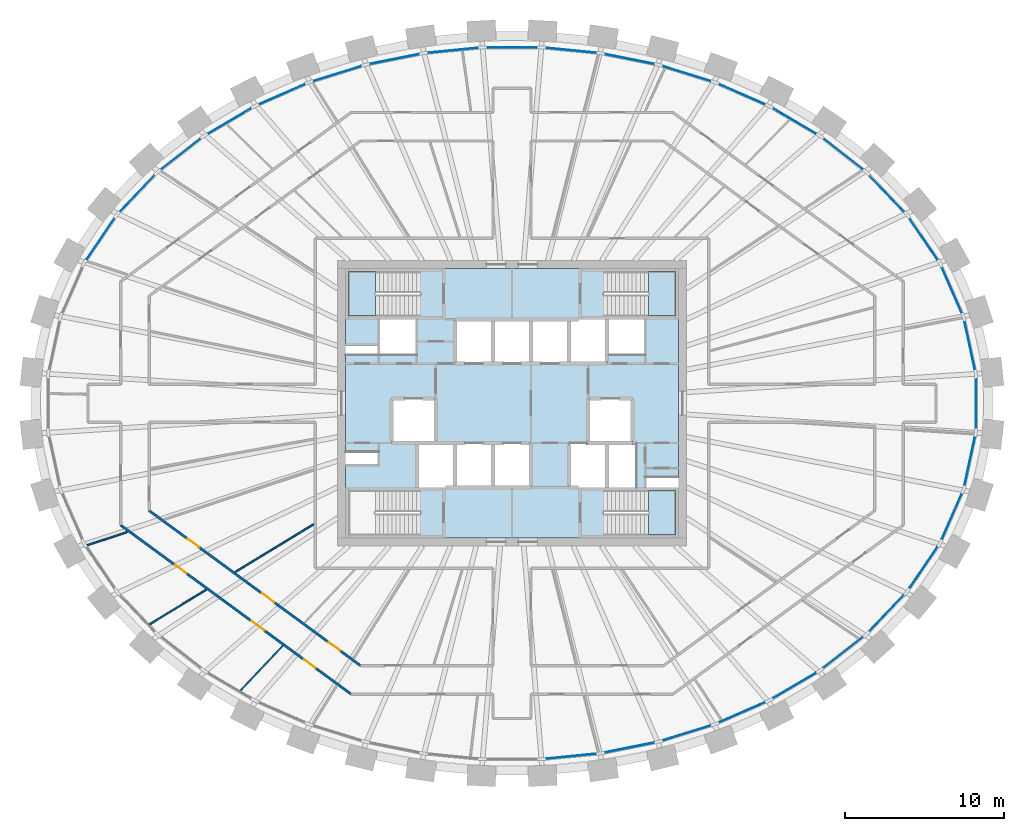
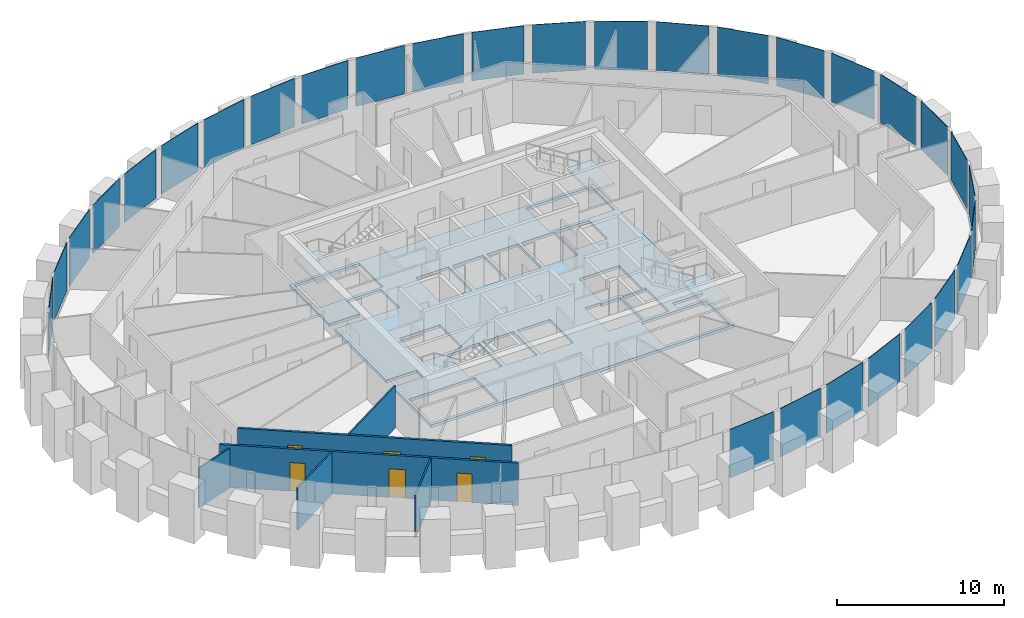
# One storey, part 5 of 12: 30 plates, 6 doors, 6 walls, 4 slabs, 6 openings, 4 elements without a shape of their own.
"""IFC4 building model written with IfcOpenShell, lengths in metres."""

import ifcopenshell
import ifcopenshell.guid

model = None  # the IFC model being written
_history = None  # IfcOwnerHistory: only IFC2X3 demands one
_inside = {}  # id of a spatial element -> (the spatial element, [elements in it])
_under = {}  # id of a project, library or spatial element -> (it, [spatial elements below it])
_declared = {}  # id of a project -> (the project, [libraries it declares])
_typed = {}  # id of a type object -> (the type object, [elements of that type])
_made_of = {}  # id of a material, layer set ... -> (it, [elements and type objects made of it])


def new_model(schema):
    """Start an empty IFC model of exactly this schema.

    Asked for "IFC4X3", IfcOpenShell would pick the latest addendum, in which some entities
    have other attributes; the version numbers below select the first issue.
    IFC2X3 requires an IfcOwnerHistory on every rooted entity: one is made here for all.
    """
    global model, _history
    if schema == "IFC4X3":
        model = ifcopenshell.file(schema_version=(4, 3, 0, 0))
    else:
        model = ifcopenshell.file(schema=schema)
    _inside.clear()
    _under.clear()
    _declared.clear()
    _typed.clear()
    _made_of.clear()
    _history = None
    if model.schema == "IFC2X3":
        org = make("IfcOrganization", Name="unknown")
        user = make(
            "IfcPersonAndOrganization",
            ThePerson=make("IfcPerson", FamilyName="unknown"),
            TheOrganization=org,
        )
        app = make(
            "IfcApplication",
            ApplicationDeveloper=org,
            Version="unknown",
            ApplicationFullName="unknown",
            ApplicationIdentifier="unknown",
        )
        _history = make(
            "IfcOwnerHistory",
            OwningUser=user,
            OwningApplication=app,
            ChangeAction="ADDED",
            CreationDate=0,
        )
    return model


def make(cls, **values):
    """One entity of the class cls with the attributes given. An attribute that is None is left unset."""
    return model.create_entity(
        cls, **{name: value for name, value in values.items() if value is not None}
    )


def rooted(cls, **values):
    """An entity with a GlobalId (a new one), such as an element, a storey or a relation."""
    return make(cls, GlobalId=ifcopenshell.guid.new(), OwnerHistory=_history, **values)


def si_unit(unit_type, name, prefix=None):
    """IfcSIUnit, for example si_unit("LENGTHUNIT", "METRE", prefix="MILLI")."""
    return make("IfcSIUnit", UnitType=unit_type, Prefix=prefix, Name=name)


def assignment(units):
    """IfcUnitAssignment: the units of a project."""
    return None if units is None else make("IfcUnitAssignment", Units=units)


def point(xyz):
    """IfcCartesianPoint."""
    return None if xyz is None else make("IfcCartesianPoint", Coordinates=xyz)


def direction(xyz):
    """IfcDirection."""
    return None if xyz is None else make("IfcDirection", DirectionRatios=xyz)


def frame(location, z_axis=None, x_axis=None):
    """IfcAxis2Placement3D, a coordinate frame: its origin and axes. An axis left out is left unset."""
    return make(
        "IfcAxis2Placement3D",
        Location=point(location),
        Axis=direction(z_axis),
        RefDirection=direction(x_axis),
    )


def frame_2d(location, x_axis=None):
    """IfcAxis2Placement2D, a coordinate frame in the plane: its origin and x axis."""
    return make(
        "IfcAxis2Placement2D", Location=point(location), RefDirection=direction(x_axis)
    )


def origin():
    """The frame at (0, 0, 0) with its axes left unset."""
    return frame((0.0, 0.0, 0.0))


def origin_2d():
    """The frame at (0, 0) in the plane with its x axis left unset."""
    return frame_2d((0.0, 0.0))


def place(relative_to, where):
    """IfcLocalPlacement: puts the frame where relative to a parent placement (None: the world)."""
    return make(
        "IfcLocalPlacement", PlacementRelTo=relative_to, RelativePlacement=where
    )


def context(
    kind, dimensions, precision=None, world=None, true_north=None, identifier=None
):
    """IfcGeometricRepresentationContext, for example the 3D "Model" context."""
    return make(
        "IfcGeometricRepresentationContext",
        ContextIdentifier=identifier,
        ContextType=kind,
        CoordinateSpaceDimension=dimensions,
        Precision=precision,
        WorldCoordinateSystem=world,
        TrueNorth=true_north,
    )


def subcontext(parent, identifier, kind, view, scale=None):
    """IfcGeometricRepresentationSubContext, for example "Body" below "Model"."""
    return make(
        "IfcGeometricRepresentationSubContext",
        ContextIdentifier=identifier,
        ContextType=kind,
        ParentContext=parent,
        TargetScale=scale,
        TargetView=view,
    )


def project(units=None, contexts=None):
    """IfcProject with its units and contexts."""
    return rooted(
        "IfcProject",
        Name="project",
        RepresentationContexts=contexts,
        UnitsInContext=assignment(units),
    )


def spatial(cls, under=None, at=None, **own):
    """A site, building, storey or space (cls), placed at a placement, below another one or the project."""
    s = rooted(cls, ObjectPlacement=at, **own)
    if under is not None:
        _under.setdefault(under.id(), (under, []))[1].append(s)
    return s


def polyline(points):
    """IfcPolyline through the points."""
    return make("IfcPolyline", Points=[point(p) for p in points])


def profile(cls, at=None, kind="AREA", **sizes):
    """A parametric profile (cls). Its sizes go by their IFC names, for example OverallWidth=200.0."""
    return make(cls, ProfileType=kind, Position=at, **sizes)


def rectangle(**sizes):
    """IfcRectangleProfileDef."""
    return profile("IfcRectangleProfileDef", **sizes)


def outline(outer, holes=None, kind="AREA"):
    """IfcArbitraryClosedProfileDef: a profile drawn as a closed curve; with holes, ...WithVoids."""
    if holes is None:
        return make("IfcArbitraryClosedProfileDef", ProfileType=kind, OuterCurve=outer)
    return make(
        "IfcArbitraryProfileDefWithVoids",
        ProfileType=kind,
        OuterCurve=outer,
        InnerCurves=holes,
    )


def extrude(swept, where, along, depth):
    """IfcExtrudedAreaSolid: the profile swept, set in the frame where, extruded along a direction by depth."""
    return make(
        "IfcExtrudedAreaSolid",
        SweptArea=swept,
        Position=where,
        ExtrudedDirection=direction(along),
        Depth=depth,
    )


def shape(context_of_items, identifier, shape_type, items):
    """IfcShapeRepresentation: the items that make up one representation, for example the "Body"."""
    return make(
        "IfcShapeRepresentation",
        ContextOfItems=context_of_items,
        RepresentationIdentifier=identifier,
        RepresentationType=shape_type,
        Items=items,
    )


def source(mapping_origin, context_of_items, identifier, shape_type, items):
    """IfcRepresentationMap: a shape defined once, which mapped items show again and again."""
    return make(
        "IfcRepresentationMap",
        MappingOrigin=mapping_origin,
        MappedRepresentation=shape(context_of_items, identifier, shape_type, items),
    )


def transform(
    local_origin,
    x_axis=None,
    y_axis=None,
    z_axis=None,
    scale=None,
    scale2=None,
    scale3=None,
    uniform=True,
):
    """IfcCartesianTransformationOperator3D, or its non-uniform kind. x_axis, y_axis, z_axis: its Axis1, 2, 3."""
    if uniform:
        return make(
            "IfcCartesianTransformationOperator3D",
            Axis1=direction(x_axis),
            Axis2=direction(y_axis),
            LocalOrigin=point(local_origin),
            Scale=scale,
            Axis3=direction(z_axis),
        )
    return make(
        "IfcCartesianTransformationOperator3DnonUniform",
        Axis1=direction(x_axis),
        Axis2=direction(y_axis),
        LocalOrigin=point(local_origin),
        Scale=scale,
        Axis3=direction(z_axis),
        Scale2=scale2,
        Scale3=scale3,
    )


def mapped(mapping_source, mapping_target):
    """IfcMappedItem: shows the shape of a source again, moved by a transform."""
    return make(
        "IfcMappedItem", MappingSource=mapping_source, MappingTarget=mapping_target
    )


def material(Name=None, Category=None):
    """IfcMaterial."""
    return make("IfcMaterial", Name=Name, Category=Category)


def layer(
    of_material, thickness, ventilated=None, Name=None, Category=None, Priority=None
):
    """IfcMaterialLayer: one layer of a wall or slab, of a material (None: an air gap)."""
    return make(
        "IfcMaterialLayer",
        Material=of_material,
        LayerThickness=thickness,
        IsVentilated=ventilated,
        Name=Name,
        Category=Category,
        Priority=Priority,
    )


def layer_set(layers, Name=None):
    """IfcMaterialLayerSet."""
    return make("IfcMaterialLayerSet", MaterialLayers=layers, LayerSetName=Name)


def made_of(thing, what):
    """Note that an element or type object is made of a material, layer set ...; save() writes the relation."""
    if what is not None:
        _made_of.setdefault(what.id(), (what, []))[1].append(thing)
    return thing


def type_object(cls, material=None, **own):
    """A type object (cls), such as IfcWallType, which elements share."""
    return made_of(rooted(cls, **own), material)


def element(
    cls,
    number,
    at=None,
    inside=None,
    cuts=None,
    type_object=None,
    material=None,
    context=None,
    identifier="Body",
    shape_type=None,
    held_by="IfcProductDefinitionShape",
    body=None,
    shapes=None,
    **own,
):
    """One element of the class cls, such as IfcWall. Its Tag is "e" and its number.

    at: its placement. inside: the storey or other place that contains it. cuts: it is an
    opening in that element (IfcRelVoidsElement). A single representation is given by context,
    identifier, shape_type and body (its items); several are given by shapes. held_by: the class
    of the entity that holds the representations. save() writes the other relations.
    """
    e = rooted(cls, Tag="e%d" % number, ObjectPlacement=at, **own)
    if body is not None:
        shapes = [shape(context, identifier, shape_type, body)]
    if shapes is not None:
        e.Representation = make(held_by, Representations=shapes)
    if inside is not None:
        _inside.setdefault(inside.id(), (inside, []))[1].append(e)
    if cuts is not None:
        rooted(
            "IfcRelVoidsElement", RelatingBuildingElement=cuts, RelatedOpeningElement=e
        )
    if type_object is not None:
        _typed.setdefault(type_object.id(), (type_object, []))[1].append(e)
    return made_of(e, material)


def fill(opening, filler):
    """IfcRelFillsElement: the door or window that sits in an opening."""
    return rooted(
        "IfcRelFillsElement",
        RelatingOpeningElement=opening,
        RelatedBuildingElement=filler,
    )


def aggregate(whole, parts):
    """IfcRelAggregates: a whole, such as a stair, and the parts it consists of."""
    return rooted("IfcRelAggregates", RelatingObject=whole, RelatedObjects=parts)


def save(model, path):
    """Write the relations noted so far, then the file.

    IfcRelAggregates (storeys below a building ...), IfcRelContainedInSpatialStructure (elements
    in a storey), IfcRelDefinesByType, IfcRelAssociatesMaterial and IfcRelDeclares: one each for
    every whole, place, type object, material and project.
    """
    for whole, parts in _under.values():
        aggregate(whole, parts)
    for where, things in _inside.values():
        rooted(
            "IfcRelContainedInSpatialStructure",
            RelatedElements=things,
            RelatingStructure=where,
        )
    for kind, things in _typed.values():
        rooted("IfcRelDefinesByType", RelatedObjects=things, RelatingType=kind)
    for what, things in _made_of.values():
        rooted("IfcRelAssociatesMaterial", RelatedObjects=things, RelatingMaterial=what)
    for by, libraries in _declared.values():
        rooted("IfcRelDeclares", RelatingContext=by, RelatedDefinitions=libraries)
    model.write(path)


model = new_model("IFC4")

# Units and contexts
model_context = context("Model", 3, precision=1e-05, world=origin(), true_north=direction((0.0, 1.0)))
body_context = subcontext(model_context, "Body", "Model", "MODEL_VIEW")
ifc_project = project(units=[si_unit("LENGTHUNIT", "METRE"), si_unit("AREAUNIT", "SQUARE_METRE"), si_unit("VOLUMEUNIT", "CUBIC_METRE"), si_unit("PLANEANGLEUNIT", "RADIAN"), si_unit("MASSUNIT", "GRAM", prefix="KILO")], contexts=[model_context])

# Site, building, storey
site_placement = place(None, origin())
site = spatial("IfcSite", under=ifc_project, at=site_placement, CompositionType="ELEMENT")
building_placement = place(site_placement, origin())
building = spatial("IfcBuilding", under=site, at=building_placement, Name="Embergate Tower", CompositionType="ELEMENT")
storey_placement = place(building_placement, frame((0.0, 0.0, 309.10009765625)))
storey = spatial("IfcBuildingStorey", under=building, at=storey_placement, Name="L72", CompositionType="ELEMENT", Elevation=309.10009765625)

# Curtain wall, plates
ifc_material_1 = material(Name="Aluminium and glass", Category="aluminium")
curtain_wall_type = type_object("IfcCurtainWallType", Name="Recessed office glazing", PredefinedType="NOTDEFINED", material=ifc_material_1)
curtain_wall_placement = place(storey_placement, origin())
curtain_wall = element("IfcCurtainWall", 1, at=curtain_wall_placement, inside=storey, type_object=curtain_wall_type, Name="Recessed office glazing ring", ObjectType="RECESSED OFFICE GLAZING", PredefinedType="USERDEFINED")
ifc_material_2 = material(Name="Triple glazing, low-emissivity coating", Category="glass")
ifc_layer_1 = layer(ifc_material_2, 0.035888671875)
ifc_layer_set_1 = layer_set([ifc_layer_1], Name="Triple glazing, low-emissivity coating")
plate_type = type_object("IfcPlateType", Name="Office glazing unit", PredefinedType="CURTAIN_PANEL", material=ifc_layer_set_1)
shared_shape_1 = source(origin(), body_context, "Body", "SweptSolid", [
    extrude(rectangle(XDim=3.1650390625, YDim=0.035888671875, at=origin_2d()), origin(), (0.0, 0.0, 1.0), 3.550048828125),
])
plate_1_placement = place(storey_placement, frame((28.86474609375, 3.642578125, 0.14990234375), z_axis=(0.0, 0.0, 1.0), x_axis=(-0.210398391177, 0.97761573074, 0.0)))
plate_1 = element("IfcPlate", 2, at=plate_1_placement, type_object=plate_type, Name="CW panel 1.1", PredefinedType="CURTAIN_PANEL", context=body_context, shape_type="MappedRepresentation", body=[
    mapped(shared_shape_1, transform((0.0, 0.0, 0.0))),
])
plate_2_placement = place(storey_placement, frame((28.86474609375, -3.642578125, 0.14990234375), z_axis=(0.0, 0.0, 1.0), x_axis=(0.210398391177, 0.97761573074, 0.0)))
plate_2 = element("IfcPlate", 3, at=plate_2_placement, type_object=plate_type, Name="CW panel 43.1", PredefinedType="CURTAIN_PANEL", context=body_context, shape_type="MappedRepresentation", body=[
    mapped(shared_shape_1, transform((0.0, 0.0, 0.0))),
])
shared_shape_2 = source(origin(), body_context, "Body", "SweptSolid", [
    extrude(rectangle(XDim=3.171875, YDim=0.035888671875, at=origin_2d()), origin(), (0.0, 0.0, 1.0), 3.550048828125),
])
plate_3_placement = place(storey_placement, frame((27.735595703125, 7.134521484375, 0.14990234375), z_axis=(0.0, 0.0, 1.0), x_axis=(-0.401652101157, 0.91579232888, 0.0)))
plate_3 = element("IfcPlate", 4, at=plate_3_placement, type_object=plate_type, Name="CW panel 2.1", PredefinedType="CURTAIN_PANEL", context=body_context, shape_type="MappedRepresentation", body=[
    mapped(shared_shape_2, transform((0.0, 0.0, 0.0))),
])
plate_4_placement = place(storey_placement, frame((27.735595703125, -7.134521484375, 0.14990234375), z_axis=(0.0, 0.0, 1.0), x_axis=(0.401652101157, 0.91579232888, 0.0)))
plate_4 = element("IfcPlate", 5, at=plate_4_placement, type_object=plate_type, Name="CW panel 42.1", PredefinedType="CURTAIN_PANEL", context=body_context, shape_type="MappedRepresentation", body=[
    mapped(shared_shape_2, transform((0.0, 0.0, 0.0))),
])
shared_shape_3 = source(origin(), body_context, "Body", "SweptSolid", [
    extrude(rectangle(XDim=3.180419921875, YDim=0.035888671875, at=origin_2d()), origin(), (0.0, 0.0, 1.0), 3.550048828125),
])
plate_5_placement = place(storey_placement, frame((25.95361328125, 10.354736328125, 0.14990234375), z_axis=(0.0, 0.0, 1.0), x_axis=(-0.562341741915, 0.826904931234, 0.0)))
plate_5 = element("IfcPlate", 6, at=plate_5_placement, type_object=plate_type, Name="CW panel 3.1", PredefinedType="CURTAIN_PANEL", context=body_context, shape_type="MappedRepresentation", body=[
    mapped(shared_shape_3, transform((0.0, 0.0, 0.0))),
])
plate_6_placement = place(storey_placement, frame((-25.95361328125, 10.354736328125, 0.14990234375), z_axis=(0.0, 0.0, 1.0), x_axis=(-0.562341741915, -0.826904931234, 0.0)))
plate_6 = element("IfcPlate", 7, at=plate_6_placement, type_object=plate_type, Name="CW panel 19.1", PredefinedType="CURTAIN_PANEL", context=body_context, shape_type="MappedRepresentation", body=[
    mapped(shared_shape_3, transform((0.0, 0.0, 0.0))),
])
plate_7_placement = place(storey_placement, frame((25.95361328125, -10.354736328125, 0.14990234375), z_axis=(0.0, 0.0, 1.0), x_axis=(0.562341741915, 0.826904931234, 0.0)))
plate_7 = element("IfcPlate", 8, at=plate_7_placement, type_object=plate_type, Name="CW panel 41.1", PredefinedType="CURTAIN_PANEL", context=body_context, shape_type="MappedRepresentation", body=[
    mapped(shared_shape_3, transform((0.0, 0.0, 0.0))),
])
shared_shape_4 = source(origin(), body_context, "Body", "SweptSolid", [
    extrude(rectangle(XDim=3.188720703125, YDim=0.035888671875, at=origin_2d()), origin(), (0.0, 0.0, 1.0), 3.550048828125),
])
plate_8_placement = place(storey_placement, frame((23.633544921875, 13.226806640625, 0.14990234375), z_axis=(0.0, 0.0, 1.0), x_axis=(-0.6901325214, 0.723683012724, 0.0)))
plate_8 = element("IfcPlate", 9, at=plate_8_placement, type_object=plate_type, Name="CW panel 4.1", PredefinedType="CURTAIN_PANEL", context=body_context, shape_type="MappedRepresentation", body=[
    mapped(shared_shape_4, transform((0.0, 0.0, 0.0))),
])
plate_9_placement = place(storey_placement, frame((-23.633544921875, 13.226806640625, 0.14990234375), z_axis=(0.0, 0.0, 1.0), x_axis=(-0.6901325214, -0.723683012724, 0.0)))
plate_9 = element("IfcPlate", 10, at=plate_9_placement, type_object=plate_type, Name="CW panel 18.1", PredefinedType="CURTAIN_PANEL", context=body_context, shape_type="MappedRepresentation", body=[
    mapped(shared_shape_4, transform((0.0, 0.0, 0.0))),
])
plate_10_placement = place(storey_placement, frame((23.633544921875, -13.226806640625, 0.14990234375), z_axis=(0.0, 0.0, 1.0), x_axis=(0.6901325214, 0.723683012724, 0.0)))
plate_10 = element("IfcPlate", 11, at=plate_10_placement, type_object=plate_type, Name="CW panel 40.1", PredefinedType="CURTAIN_PANEL", context=body_context, shape_type="MappedRepresentation", body=[
    mapped(shared_shape_4, transform((0.0, 0.0, 0.0))),
])
shared_shape_5 = source(origin(), body_context, "Body", "SweptSolid", [
    extrude(rectangle(XDim=3.196044921875, YDim=0.035888671875, at=origin_2d()), origin(), (0.0, 0.0, 1.0), 3.550048828125),
])
plate_11_placement = place(storey_placement, frame((20.888916015625, 15.7119140625, 0.14990234375), z_axis=(0.0, 0.0, 1.0), x_axis=(-0.788317971569, 0.615268051911, 0.0)))
plate_11 = element("IfcPlate", 12, at=plate_11_placement, type_object=plate_type, Name="CW panel 5.1", PredefinedType="CURTAIN_PANEL", context=body_context, shape_type="MappedRepresentation", body=[
    mapped(shared_shape_5, transform((0.0, 0.0, 0.0))),
])
plate_12_placement = place(storey_placement, frame((-20.888916015625, 15.7119140625, 0.14990234375), z_axis=(0.0, 0.0, 1.0), x_axis=(-0.788317971569, -0.615268051911, 0.0)))
plate_12 = element("IfcPlate", 13, at=plate_12_placement, type_object=plate_type, Name="CW panel 17.1", PredefinedType="CURTAIN_PANEL", context=body_context, shape_type="MappedRepresentation", body=[
    mapped(shared_shape_5, transform((0.0, 0.0, 0.0))),
])
plate_13_placement = place(storey_placement, frame((20.888916015625, -15.7119140625, 0.14990234375), z_axis=(0.0, 0.0, 1.0), x_axis=(0.788317971569, 0.615268051911, 0.0)))
plate_13 = element("IfcPlate", 14, at=plate_13_placement, type_object=plate_type, Name="CW panel 39.1", PredefinedType="CURTAIN_PANEL", context=body_context, shape_type="MappedRepresentation", body=[
    mapped(shared_shape_5, transform((0.0, 0.0, 0.0))),
])
shared_shape_6 = source(origin(), body_context, "Body", "SweptSolid", [
    extrude(rectangle(XDim=3.201904296875, YDim=0.035888671875, at=origin_2d()), origin(), (0.0, 0.0, 1.0), 3.550048828125),
])
plate_14_placement = place(storey_placement, frame((17.820068359375, 17.79833984375, 0.14990234375), z_axis=(0.0, 0.0, 1.0), x_axis=(-0.862050514108, 0.506822366443, 0.0)))
plate_14 = element("IfcPlate", 15, at=plate_14_placement, type_object=plate_type, Name="CW panel 6.1", PredefinedType="CURTAIN_PANEL", context=body_context, shape_type="MappedRepresentation", body=[
    mapped(shared_shape_6, transform((0.0, 0.0, 0.0))),
])
plate_15_placement = place(storey_placement, frame((-17.820068359375, 17.79833984375, 0.14990234375), z_axis=(0.0, 0.0, 1.0), x_axis=(-0.862050514108, -0.506822366443, 0.0)))
plate_15 = element("IfcPlate", 16, at=plate_15_placement, type_object=plate_type, Name="CW panel 16.1", PredefinedType="CURTAIN_PANEL", context=body_context, shape_type="MappedRepresentation", body=[
    mapped(shared_shape_6, transform((0.0, 0.0, 0.0))),
])
plate_16_placement = place(storey_placement, frame((17.820068359375, -17.79833984375, 0.14990234375), z_axis=(0.0, 0.0, 1.0), x_axis=(0.862050514108, 0.506822366443, 0.0)))
plate_16 = element("IfcPlate", 17, at=plate_16_placement, type_object=plate_type, Name="CW panel 38.1", PredefinedType="CURTAIN_PANEL", context=body_context, shape_type="MappedRepresentation", body=[
    mapped(shared_shape_6, transform((0.0, 0.0, 0.0))),
])
shared_shape_7 = source(origin(), body_context, "Body", "SweptSolid", [
    extrude(rectangle(XDim=3.206298828125, YDim=0.035888671875, at=origin_2d()), origin(), (0.0, 0.0, 1.0), 3.550048828125),
])
plate_17_placement = place(storey_placement, frame((14.508544921875, 19.488037109375, 0.14990234375), z_axis=(0.0, 0.0, 1.0), x_axis=(-0.91623411399, 0.400643293168, 0.0)))
plate_17 = element("IfcPlate", 18, at=plate_17_placement, type_object=plate_type, Name="CW panel 7.1", PredefinedType="CURTAIN_PANEL", context=body_context, shape_type="MappedRepresentation", body=[
    mapped(shared_shape_7, transform((0.0, 0.0, 0.0))),
])
plate_18_placement = place(storey_placement, frame((-14.508544921875, 19.488037109375, 0.14990234375), z_axis=(0.0, 0.0, 1.0), x_axis=(-0.91623411399, -0.400643293168, 0.0)))
plate_18 = element("IfcPlate", 19, at=plate_18_placement, type_object=plate_type, Name="CW panel 15.1", PredefinedType="CURTAIN_PANEL", context=body_context, shape_type="MappedRepresentation", body=[
    mapped(shared_shape_7, transform((0.0, 0.0, 0.0))),
])
plate_19_placement = place(storey_placement, frame((14.508544921875, -19.488037109375, 0.14990234375), z_axis=(0.0, 0.0, 1.0), x_axis=(0.91623411399, 0.400643293168, 0.0)))
plate_19 = element("IfcPlate", 20, at=plate_19_placement, type_object=plate_type, Name="CW panel 37.1", PredefinedType="CURTAIN_PANEL", context=body_context, shape_type="MappedRepresentation", body=[
    mapped(shared_shape_7, transform((0.0, 0.0, 0.0))),
])
shared_shape_8 = source(origin(), body_context, "Body", "SweptSolid", [
    extrude(rectangle(XDim=3.209716796875, YDim=0.035888671875, at=origin_2d()), origin(), (0.0, 0.0, 1.0), 3.550048828125),
])
plate_20_placement = place(storey_placement, frame((11.02099609375, 20.788818359375, 0.14990234375), z_axis=(0.0, 0.0, 1.0), x_axis=(-0.954771179262, 0.297341546458, 0.0)))
plate_20 = element("IfcPlate", 21, at=plate_20_placement, type_object=plate_type, Name="CW panel 8.1", PredefinedType="CURTAIN_PANEL", context=body_context, shape_type="MappedRepresentation", body=[
    mapped(shared_shape_8, transform((0.0, 0.0, 0.0))),
])
plate_21_placement = place(storey_placement, frame((-11.02099609375, 20.788818359375, 0.14990234375), z_axis=(0.0, 0.0, 1.0), x_axis=(-0.954771179262, -0.297341546458, 0.0)))
plate_21 = element("IfcPlate", 22, at=plate_21_placement, type_object=plate_type, Name="CW panel 14.1", PredefinedType="CURTAIN_PANEL", context=body_context, shape_type="MappedRepresentation", body=[
    mapped(shared_shape_8, transform((0.0, 0.0, 0.0))),
])
plate_22_placement = place(storey_placement, frame((11.02099609375, -20.788818359375, 0.14990234375), z_axis=(0.0, 0.0, 1.0), x_axis=(0.954771179262, 0.297341546458, 0.0)))
plate_22 = element("IfcPlate", 23, at=plate_22_placement, type_object=plate_type, Name="CW panel 36.1", PredefinedType="CURTAIN_PANEL", context=body_context, shape_type="MappedRepresentation", body=[
    mapped(shared_shape_8, transform((0.0, 0.0, 0.0))),
])
shared_shape_9 = source(origin(), body_context, "Body", "SweptSolid", [
    extrude(rectangle(XDim=3.211669921875, YDim=0.035888671875, at=origin_2d()), origin(), (0.0, 0.0, 1.0), 3.550048828125),
])
plate_23_placement = place(storey_placement, frame((7.4111328125, 21.710205078125, 0.14990234375), z_axis=(0.0, 0.0, 1.0), x_axis=(-0.980475221003, 0.196642673395, 0.0)))
plate_23 = element("IfcPlate", 24, at=plate_23_placement, type_object=plate_type, Name="CW panel 9.1", PredefinedType="CURTAIN_PANEL", context=body_context, shape_type="MappedRepresentation", body=[
    mapped(shared_shape_9, transform((0.0, 0.0, 0.0))),
])
plate_24_placement = place(storey_placement, frame((-7.4111328125, 21.710205078125, 0.14990234375), z_axis=(0.0, 0.0, 1.0), x_axis=(-0.980475221003, -0.196642673395, 0.0)))
plate_24 = element("IfcPlate", 25, at=plate_24_placement, type_object=plate_type, Name="CW panel 13.1", PredefinedType="CURTAIN_PANEL", context=body_context, shape_type="MappedRepresentation", body=[
    mapped(shared_shape_9, transform((0.0, 0.0, 0.0))),
])
plate_25_placement = place(storey_placement, frame((7.4111328125, -21.710205078125, 0.14990234375), z_axis=(0.0, 0.0, 1.0), x_axis=(0.980475221003, 0.196642673395, 0.0)))
plate_25 = element("IfcPlate", 26, at=plate_25_placement, type_object=plate_type, Name="CW panel 35.1", PredefinedType="CURTAIN_PANEL", context=body_context, shape_type="MappedRepresentation", body=[
    mapped(shared_shape_9, transform((0.0, 0.0, 0.0))),
])
shared_shape_10 = source(origin(), body_context, "Body", "SweptSolid", [
    extrude(rectangle(XDim=3.212890625, YDim=0.035888671875, at=origin_2d()), origin(), (0.0, 0.0, 1.0), 3.550048828125),
])
plate_26_placement = place(storey_placement, frame((3.72412109375, 22.259765625, 0.14990234375), z_axis=(0.0, 0.0, 1.0), x_axis=(-0.995203014042, 0.097831287645, 0.0)))
plate_26 = element("IfcPlate", 27, at=plate_26_placement, type_object=plate_type, Name="CW panel 10.1", PredefinedType="CURTAIN_PANEL", context=body_context, shape_type="MappedRepresentation", body=[
    mapped(shared_shape_10, transform((0.0, 0.0, 0.0))),
])
plate_27_placement = place(storey_placement, frame((-3.72412109375, 22.259765625, 0.14990234375), z_axis=(0.0, 0.0, 1.0), x_axis=(-0.995203014042, -0.097831287645, 0.0)))
plate_27 = element("IfcPlate", 28, at=plate_27_placement, type_object=plate_type, Name="CW panel 12.1", PredefinedType="CURTAIN_PANEL", context=body_context, shape_type="MappedRepresentation", body=[
    mapped(shared_shape_10, transform((0.0, 0.0, 0.0))),
])
plate_28_placement = place(storey_placement, frame((3.72412109375, -22.259765625, 0.14990234375), z_axis=(0.0, 0.0, 1.0), x_axis=(0.995203014042, 0.097831287645, 0.0)))
plate_28 = element("IfcPlate", 29, at=plate_28_placement, type_object=plate_type, Name="CW panel 34.1", PredefinedType="CURTAIN_PANEL", context=body_context, shape_type="MappedRepresentation", body=[
    mapped(shared_shape_10, transform((0.0, 0.0, 0.0))),
])
shared_shape_11 = source(origin(), body_context, "Body", "SweptSolid", [
    extrude(rectangle(XDim=3.21337890625, YDim=0.035888671875, at=origin_2d()), origin(), (0.0, 0.0, 1.0), 3.550048828125),
])
plate_29_placement = place(storey_placement, frame((0.0, 22.4423828125, 0.14990234375), z_axis=(0.0, 0.0, 1.0), x_axis=(-1.0, 0.0, 0.0)))
plate_29 = element("IfcPlate", 30, at=plate_29_placement, type_object=plate_type, Name="CW panel 11.1", PredefinedType="CURTAIN_PANEL", context=body_context, shape_type="MappedRepresentation", body=[
    mapped(shared_shape_11, transform((0.0, 0.0, 0.0))),
])
shared_shape_12 = source(origin(), body_context, "Body", "SweptSolid", [
    extrude(rectangle(XDim=3.16259765625, YDim=0.035888671875, at=origin_2d()), origin(), (0.0, 0.0, 1.0), 3.550048828125),
])
plate_30_placement = place(storey_placement, frame((29.252197265625, 0.0, 0.14990234375), z_axis=(0.0, 0.0, 1.0), x_axis=(0.0, 1.0, 0.0)))
plate_30 = element("IfcPlate", 31, at=plate_30_placement, type_object=plate_type, Name="CW panel 44.1", PredefinedType="CURTAIN_PANEL", context=body_context, shape_type="MappedRepresentation", body=[
    mapped(shared_shape_12, transform((0.0, 0.0, 0.0))),
])
aggregate(curtain_wall, [plate_1, plate_3, plate_5, plate_8, plate_11, plate_14, plate_17, plate_20, plate_23, plate_26, plate_29, plate_27, plate_24, plate_21, plate_18, plate_15, plate_12, plate_9, plate_6, plate_28, plate_25, plate_22, plate_19, plate_16, plate_13, plate_10, plate_7, plate_4, plate_2, plate_30])

# Stair, slab
ifc_material_3 = material(Name="Exit stair")
stair_type = type_object("IfcStairType", Name="Exit stair", PredefinedType="HALF_TURN_STAIR", material=ifc_material_3)
stair_1_placement = place(storey_placement, origin())
stair_1 = element("IfcStair", 32, at=stair_1_placement, inside=storey, type_object=stair_type, Name="L72 Exit stair 1", PredefinedType="HALF_TURN_STAIR")
ifc_material_4 = material(Name="Concrete C40", Category="concrete")
ifc_layer_2 = layer(ifc_material_4, 0.199951171875)
ifc_layer_set_2 = layer_set([ifc_layer_2], Name="Concrete C40")
slab_type_1 = type_object("IfcSlabType", Name="Stair landing reinforced concrete", PredefinedType="LANDING", material=ifc_layer_set_2)
shared_shape_13 = source(origin(), body_context, "Body", "SweptSolid", [
    extrude(outline(polyline([(0.0, 0.0), (1.68994140625, 0.0), (1.68994140625, 2.800048828125), (0.0, 2.800048828125), (0.0, 0.0)])), origin(), (0.0, 0.0, 1.0), 0.199951171875),
])
slab_1_placement = place(storey_placement, frame((-10.300048828125, 5.5, 1.75)))
slab_1 = element("IfcSlab", 33, at=slab_1_placement, type_object=slab_type_1, Name="ST1 landing 1", PredefinedType="LANDING", context=body_context, shape_type="MappedRepresentation", body=[
    mapped(shared_shape_13, transform((0.0, 0.0, 0.0))),
])
aggregate(stair_1, [slab_1])

stair_2_placement = place(storey_placement, origin())
stair_2 = element("IfcStair", 34, at=stair_2_placement, inside=storey, type_object=stair_type, Name="L72 Exit stair 2", PredefinedType="HALF_TURN_STAIR")
slab_2_placement = place(storey_placement, frame((8.610107421875, 5.5, 1.75)))
slab_2 = element("IfcSlab", 35, at=slab_2_placement, type_object=slab_type_1, Name="ST2 landing 1", PredefinedType="LANDING", context=body_context, shape_type="MappedRepresentation", body=[
    mapped(shared_shape_13, transform((0.0, 0.0, 0.0))),
])
aggregate(stair_2, [slab_2])

stair_3_placement = place(storey_placement, origin())
stair_3 = element("IfcStair", 36, at=stair_3_placement, inside=storey, type_object=stair_type, Name="L72 Exit stair 4", PredefinedType="HALF_TURN_STAIR")
slab_3_placement = place(storey_placement, frame((8.610107421875, -8.300048828125, 1.75)))
slab_3 = element("IfcSlab", 37, at=slab_3_placement, type_object=slab_type_1, Name="ST4 landing 1", PredefinedType="LANDING", context=body_context, shape_type="MappedRepresentation", body=[
    mapped(shared_shape_13, transform((0.0, 0.0, 0.0))),
])
aggregate(stair_3, [slab_3])

# Slab
ifc_layer_3 = layer(ifc_material_4, 0.199951171875)
ifc_layer_set_3 = layer_set([ifc_layer_3], Name="Concrete C40")
slab_type_2 = type_object("IfcSlabType", Name="Core floor slab 200 reinforced concrete", PredefinedType="FLOOR", material=ifc_layer_set_3)
shared_shape_14 = source(origin(), body_context, "Body", "SweptSolid", [
    extrude(outline(polyline([(0.0, 0.0), (21.0, 0.0), (21.0, 3.199951171875), (18.89990234375, 3.199951171875), (18.89990234375, 3.803955078125), (21.0, 3.803955078125), (21.0, 17.0), (0.0, 17.0), (0.0, 12.2041015625), (2.10009765625, 12.2041015625), (2.10009765625, 13.800048828125), (4.5, 13.800048828125), (4.5, 11.60009765625), (2.10009765625, 11.60009765625), (0.0, 11.60009765625), (0.0, 5.39990234375), (2.10009765625, 5.39990234375), (2.10009765625, 4.60009765625), (0.0, 4.60009765625), (0.0, 0.0)]), holes=[polyline([(0.199951171875, 0.199951171875), (0.199951171875, 3.0), (4.739990234375, 3.0), (4.739990234375, 0.199951171875), (0.199951171875, 0.199951171875)]), polyline([(16.260009765625, 0.199951171875), (16.260009765625, 3.0), (20.800048828125, 3.0), (20.800048828125, 0.199951171875), (16.260009765625, 0.199951171875)]), polyline([(4.5, 3.199951171875), (4.5, 5.875), (5.824951171875, 5.875), (5.824951171875, 6.0), (6.77490234375, 6.0), (6.77490234375, 3.199951171875), (4.5, 3.199951171875)]), polyline([(7.02490234375, 3.199951171875), (7.02490234375, 6.0), (9.175048828125, 6.0), (9.175048828125, 3.199951171875), (7.02490234375, 3.199951171875)]), polyline([(9.425048828125, 3.199951171875), (9.425048828125, 6.0), (11.699951171875, 6.0), (11.699951171875, 3.199951171875), (9.425048828125, 3.199951171875)]), polyline([(14.10009765625, 3.199951171875), (14.10009765625, 6.0), (15.175048828125, 6.0), (15.175048828125, 5.875), (16.5, 5.875), (16.5, 3.199951171875), (14.10009765625, 3.199951171875)]), polyline([(16.625, 3.199951171875), (16.625, 5.875), (18.22509765625, 5.875), (18.22509765625, 6.0), (18.300048828125, 6.0), (18.300048828125, 3.199951171875), (16.625, 3.199951171875)]), polyline([(2.89990234375, 6.0), (2.89990234375, 8.800048828125), (5.699951171875, 8.800048828125), (5.699951171875, 6.125), (4.375, 6.125), (4.375, 6.0), (2.89990234375, 6.0)]), polyline([(16.625, 6.0), (16.625, 6.125), (15.300048828125, 6.125), (15.300048828125, 8.800048828125), (18.10009765625, 8.800048828125), (18.10009765625, 6.0), (16.625, 6.0)]), polyline([(6.89990234375, 11.0), (6.89990234375, 13.800048828125), (9.175048828125, 13.800048828125), (9.175048828125, 11.0), (6.89990234375, 11.0)]), polyline([(9.425048828125, 11.0), (9.425048828125, 13.800048828125), (11.574951171875, 13.800048828125), (11.574951171875, 11.0), (9.425048828125, 11.0)]), polyline([(11.824951171875, 11.0), (11.824951171875, 13.800048828125), (13.97509765625, 13.800048828125), (13.97509765625, 11.0), (11.824951171875, 11.0)]), polyline([(14.22509765625, 11.0), (14.22509765625, 13.800048828125), (16.5, 13.800048828125), (16.5, 11.0), (14.22509765625, 11.0)]), polyline([(16.625, 11.60009765625), (16.625, 13.800048828125), (18.89990234375, 13.800048828125), (18.89990234375, 11.60009765625), (16.625, 11.60009765625)]), polyline([(0.199951171875, 14.0), (0.199951171875, 16.800048828125), (4.739990234375, 16.800048828125), (4.739990234375, 14.0), (0.199951171875, 14.0)]), polyline([(16.260009765625, 14.0), (16.260009765625, 16.800048828125), (20.800048828125, 16.800048828125), (20.800048828125, 14.0), (16.260009765625, 14.0)])]), origin(), (0.0, 0.0, 1.0), 0.2001953125),
])
slab_4_placement = place(storey_placement, frame((-10.5, -8.5, -0.2001953125)))
element("IfcSlab", 38, at=slab_4_placement, inside=storey, type_object=slab_type_2, Name="Core floor slab", PredefinedType="FLOOR", context=body_context, shape_type="MappedRepresentation", body=[
    mapped(shared_shape_14, transform((0.0, 0.0, 0.0))),
])

# Wall, openings, doors
ifc_material_5 = material(Name="Corridor wall dry-lined 150")
ifc_layer_4 = layer(ifc_material_5, 0.14990234375)
ifc_layer_set_4 = layer_set([ifc_layer_4], Name="Corridor wall dry-lined 150")
wall_type_1 = type_object("IfcWallType", Name="Corridor wall dry-lined 150", PredefinedType="PARTITIONING", material=ifc_layer_set_4)
shared_shape_15 = source(origin(), body_context, "Body", "SweptSolid", [
    extrude(rectangle(XDim=18.027099609375, YDim=0.14990234375, at=frame_2d((9.013671875, 0.0))), origin(), (0.0, 0.0, 1.0), 3.099853515625),
])
wall_1_placement = place(storey_placement, frame((-10.14501953125, -18.341064453125, 0.0), z_axis=(0.0, 0.0, 1.0), x_axis=(-0.80638475932, 0.591391257914, 0.0)))
wall_1 = element("IfcWall", 39, at=wall_1_placement, inside=storey, type_object=wall_type_1, Name="IP-2 wall", PredefinedType="PARTITIONING", context=body_context, shape_type="MappedRepresentation", body=[
    mapped(shared_shape_15, transform((0.0, 0.0, 0.0))),
])
shared_shape_16 = source(origin(), body_context, "Body", "SweptSolid", [
    extrude(rectangle(XDim=0.89990234375, YDim=2.10009765625, at=frame_2d((0.449951171875, 1.050048828125))), frame((0.0, 0.0849609375, 0.0), z_axis=(0.0, -1.0, 0.0), x_axis=(1.0, 0.0, 0.0)), (0.0, 0.0, 1.0), 0.169921875),
])
opening_1_placement = place(wall_1_placement, frame((12.8671875, 0.0, 0.0)))
opening_1 = element("IfcOpeningElement", 40, at=opening_1_placement, cuts=wall_1, Name="Opening IF-1c", PredefinedType="OPENING", context=body_context, shape_type="MappedRepresentation", body=[
    mapped(shared_shape_16, transform((0.0, 0.0, 0.0))),
])
shared_shape_17 = source(origin(), body_context, "Body", "SweptSolid", [
    extrude(rectangle(XDim=1.0, YDim=2.10009765625, at=frame_2d((0.5, 1.050048828125))), frame((0.0, 0.0849609375, 0.0), z_axis=(0.0, -1.0, 0.0), x_axis=(1.0, 0.0, 0.0)), (0.0, 0.0, 1.0), 0.169921875),
])
opening_2_placement = place(wall_1_placement, frame((6.787841796875, 0.0, 0.0)))
opening_2 = element("IfcOpeningElement", 41, at=opening_2_placement, cuts=wall_1, Name="Opening ID-2", PredefinedType="OPENING", context=body_context, shape_type="MappedRepresentation", body=[
    mapped(shared_shape_17, transform((0.0, 0.0, 0.0))),
])
opening_3_placement = place(wall_1_placement, frame((2.79345703125, 0.0, 0.0)))
opening_3 = element("IfcOpeningElement", 42, at=opening_3_placement, cuts=wall_1, Name="Opening IF-1c", PredefinedType="OPENING", context=body_context, shape_type="MappedRepresentation", body=[
    mapped(shared_shape_16, transform((0.0, 0.0, 0.0))),
])
ifc_material_6 = material(Name="Escape fire door 900")
door_type_1 = type_object("IfcDoorType", Name="Escape fire door 900", OperationType="SINGLE_SWING_LEFT", PredefinedType="DOOR", material=ifc_material_6)
shared_shape_18 = source(origin(), body_context, "Body", "SweptSolid", [
    extrude(rectangle(XDim=0.89990234375, YDim=2.10009765625, at=frame_2d((0.449951171875, 1.050048828125))), frame((0.0, 0.02490234375, 0.0), z_axis=(0.0, -1.0, 0.0), x_axis=(1.0, 0.0, 0.0)), (0.0, 0.0, 1.0), 0.050048828125),
])
door_1_placement = place(opening_1_placement, origin())
door_1 = element("IfcDoor", 43, at=door_1_placement, inside=storey, type_object=door_type_1, Name="IF-1 door", OperationType="SINGLE_SWING_RIGHT", OverallHeight=2.10009765625, OverallWidth=0.89990234375, PredefinedType="DOOR", context=body_context, shape_type="MappedRepresentation", body=[
    mapped(shared_shape_18, transform((0.0, 0.0, 0.0))),
])
fill(opening_1, door_1)
door_2_placement = place(opening_3_placement, origin())
door_2 = element("IfcDoor", 44, at=door_2_placement, inside=storey, type_object=door_type_1, Name="IF-1 door", OperationType="SINGLE_SWING_LEFT", OverallHeight=2.10009765625, OverallWidth=0.89990234375, PredefinedType="DOOR", context=body_context, shape_type="MappedRepresentation", body=[
    mapped(shared_shape_18, transform((0.0, 0.0, 0.0))),
])
fill(opening_3, door_2)
ifc_material_7 = material(Name="Interior door 1000")
door_type_2 = type_object("IfcDoorType", Name="Interior door 1000", OperationType="SINGLE_SWING_LEFT", PredefinedType="DOOR", material=ifc_material_7)
shared_shape_19 = source(origin(), body_context, "Body", "SweptSolid", [
    extrude(rectangle(XDim=1.0, YDim=2.10009765625, at=frame_2d((0.5, 1.050048828125))), frame((0.0, 0.02490234375, 0.0), z_axis=(0.0, -1.0, 0.0), x_axis=(1.0, 0.0, 0.0)), (0.0, 0.0, 1.0), 0.050048828125),
])
door_3_placement = place(opening_2_placement, origin())
door_3 = element("IfcDoor", 45, at=door_3_placement, inside=storey, type_object=door_type_2, Name="ID-2 door", OperationType="SINGLE_SWING_LEFT", OverallHeight=2.10009765625, OverallWidth=1.0, PredefinedType="DOOR", context=body_context, shape_type="MappedRepresentation", body=[
    mapped(shared_shape_19, transform((0.0, 0.0, 0.0))),
])
fill(opening_2, door_3)

shared_shape_20 = source(origin(), body_context, "Body", "SweptSolid", [
    extrude(rectangle(XDim=16.525634765625, YDim=0.14990234375, at=frame_2d((8.2626953125, 0.0))), origin(), (0.0, 0.0, 1.0), 3.099853515625),
])
wall_2_placement = place(storey_placement, frame((-9.555908203125, -16.541015625, 0.0), z_axis=(0.0, 0.0, 1.0), x_axis=(-0.806392784122, 0.591380315631, 0.0)))
wall_2 = element("IfcWall", 46, at=wall_2_placement, inside=storey, type_object=wall_type_1, Name="IP-2 wall", PredefinedType="PARTITIONING", context=body_context, shape_type="MappedRepresentation", body=[
    mapped(shared_shape_20, transform((0.0, 0.0, 0.0))),
])
opening_4_placement = place(wall_2_placement, frame((12.61572265625, 0.0, 0.0)))
opening_4 = element("IfcOpeningElement", 47, at=opening_4_placement, cuts=wall_2, Name="Opening IF-1c", PredefinedType="OPENING", context=body_context, shape_type="MappedRepresentation", body=[
    mapped(shared_shape_16, transform((0.0, 0.0, 0.0))),
])
opening_5_placement = place(wall_2_placement, frame((6.71142578125, 0.0, 0.0)))
opening_5 = element("IfcOpeningElement", 48, at=opening_5_placement, cuts=wall_2, Name="Opening ID-2", PredefinedType="OPENING", context=body_context, shape_type="MappedRepresentation", body=[
    mapped(shared_shape_17, transform((0.0, 0.0, 0.0))),
])
opening_6_placement = place(wall_2_placement, frame((1.585205078125, 0.0, 0.0)))
opening_6 = element("IfcOpeningElement", 49, at=opening_6_placement, cuts=wall_2, Name="Opening IF-1c", PredefinedType="OPENING", context=body_context, shape_type="MappedRepresentation", body=[
    mapped(shared_shape_16, transform((0.0, 0.0, 0.0))),
])
door_4_placement = place(opening_4_placement, origin())
door_4 = element("IfcDoor", 50, at=door_4_placement, inside=storey, type_object=door_type_1, Name="IF-1 door", OperationType="SINGLE_SWING_LEFT", OverallHeight=2.10009765625, OverallWidth=0.89990234375, PredefinedType="DOOR", context=body_context, shape_type="MappedRepresentation", body=[
    mapped(shared_shape_18, transform((0.0, 0.0, 0.0))),
])
fill(opening_4, door_4)
door_5_placement = place(opening_6_placement, origin())
door_5 = element("IfcDoor", 51, at=door_5_placement, inside=storey, type_object=door_type_1, Name="IF-1 door", OperationType="SINGLE_SWING_RIGHT", OverallHeight=2.10009765625, OverallWidth=0.89990234375, PredefinedType="DOOR", context=body_context, shape_type="MappedRepresentation", body=[
    mapped(shared_shape_18, transform((0.0, 0.0, 0.0))),
])
fill(opening_6, door_5)
door_6_placement = place(opening_5_placement, origin())
door_6 = element("IfcDoor", 52, at=door_6_placement, inside=storey, type_object=door_type_2, Name="ID-2 door", OperationType="SINGLE_SWING_LEFT", OverallHeight=2.10009765625, OverallWidth=1.0, PredefinedType="DOOR", context=body_context, shape_type="MappedRepresentation", body=[
    mapped(shared_shape_19, transform((0.0, 0.0, 0.0))),
])
fill(opening_5, door_6)

# Walls
ifc_material_8 = material(Name="Partition dry-lined 100")
ifc_layer_5 = layer(ifc_material_8, 0.10009765625)
ifc_layer_set_5 = layer_set([ifc_layer_5], Name="Partition dry-lined 100")
wall_type_2 = type_object("IfcWallType", Name="Partition dry-lined 100", PredefinedType="PARTITIONING", material=ifc_layer_set_5)
shared_shape_21 = source(origin(), body_context, "Body", "SweptSolid", [
    extrude(rectangle(XDim=4.292724609375, YDim=0.10009765625, at=frame_2d((2.146484375, 0.0))), origin(), (0.0, 0.0, 1.0), 3.099853515625),
])
wall_3_placement = place(storey_placement, frame((-19.281982421875, -11.757080078125, 0.0), z_axis=(0.0, 0.0, 1.0), x_axis=(-0.853787543506, -0.520621580952, 0.0)))
element("IfcWall", 53, at=wall_3_placement, inside=storey, type_object=wall_type_2, Name="IP-1 wall", PredefinedType="PARTITIONING", context=body_context, shape_type="MappedRepresentation", body=[
    mapped(shared_shape_21, transform((0.0, 0.0, 0.0))),
])
shared_shape_22 = source(origin(), body_context, "Body", "SweptSolid", [
    extrude(rectangle(XDim=2.76171875, YDim=0.10009765625, at=frame_2d((1.380859375, 0.0))), origin(), (0.0, 0.0, 1.0), 2.89990234375),
])
wall_4_placement = place(storey_placement, frame((-24.264892578125, -8.114013671875, 0.0), z_axis=(0.0, 0.0, 1.0), x_axis=(-0.948364574498, -0.317182335319, 0.0)))
element("IfcWall", 54, at=wall_4_placement, inside=storey, type_object=wall_type_2, Name="IP-1 wall", PredefinedType="PARTITIONING", context=body_context, shape_type="MappedRepresentation", body=[
    mapped(shared_shape_22, transform((0.0, 0.0, 0.0))),
])
shared_shape_23 = source(origin(), body_context, "Body", "SweptSolid", [
    extrude(rectangle(XDim=4.014404296875, YDim=0.10009765625, at=frame_2d((2.00732421875, 0.0))), origin(), (0.0, 0.0, 1.0), 3.099853515625),
])
wall_5_placement = place(storey_placement, frame((-14.449951171875, -15.283935546875, 0.0), z_axis=(0.0, 0.0, 1.0), x_axis=(-0.687034152101, -0.726625126078, 0.0)))
element("IfcWall", 55, at=wall_5_placement, inside=storey, type_object=wall_type_2, Name="IP-1 wall", PredefinedType="PARTITIONING", context=body_context, shape_type="MappedRepresentation", body=[
    mapped(shared_shape_23, transform((0.0, 0.0, 0.0))),
])
shared_shape_24 = source(origin(), body_context, "Body", "SweptSolid", [
    extrude(rectangle(XDim=5.791748046875, YDim=0.10009765625, at=frame_2d((2.89599609375, 0.0))), origin(), (0.0, 0.0, 1.0), 3.099853515625),
])
wall_6_placement = place(storey_placement, frame((-12.5009765625, -7.623046875, 0.0), z_axis=(0.0, 0.0, 1.0), x_axis=(-0.853826336486, -0.520557957505, 0.0)))
element("IfcWall", 56, at=wall_6_placement, inside=storey, type_object=wall_type_2, Name="IP-1 wall", PredefinedType="PARTITIONING", context=body_context, shape_type="MappedRepresentation", body=[
    mapped(shared_shape_24, transform((0.0, 0.0, 0.0))),
])

save(model, "model.ifc")
